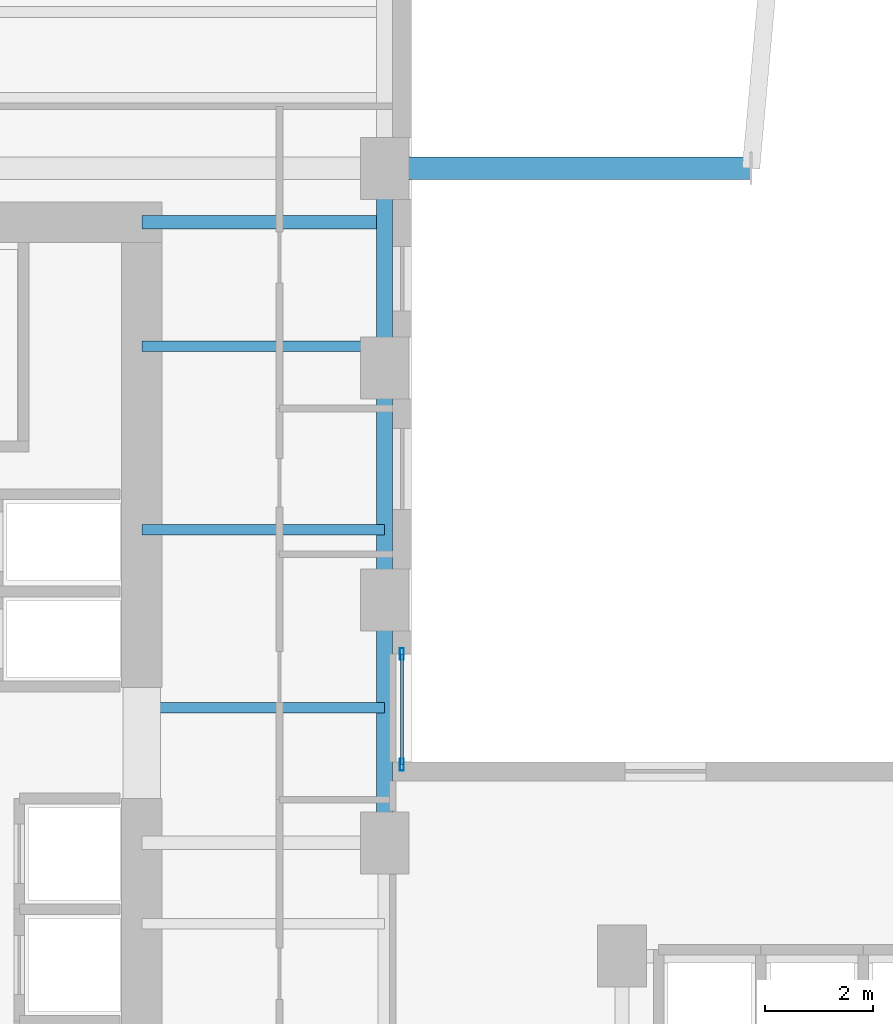
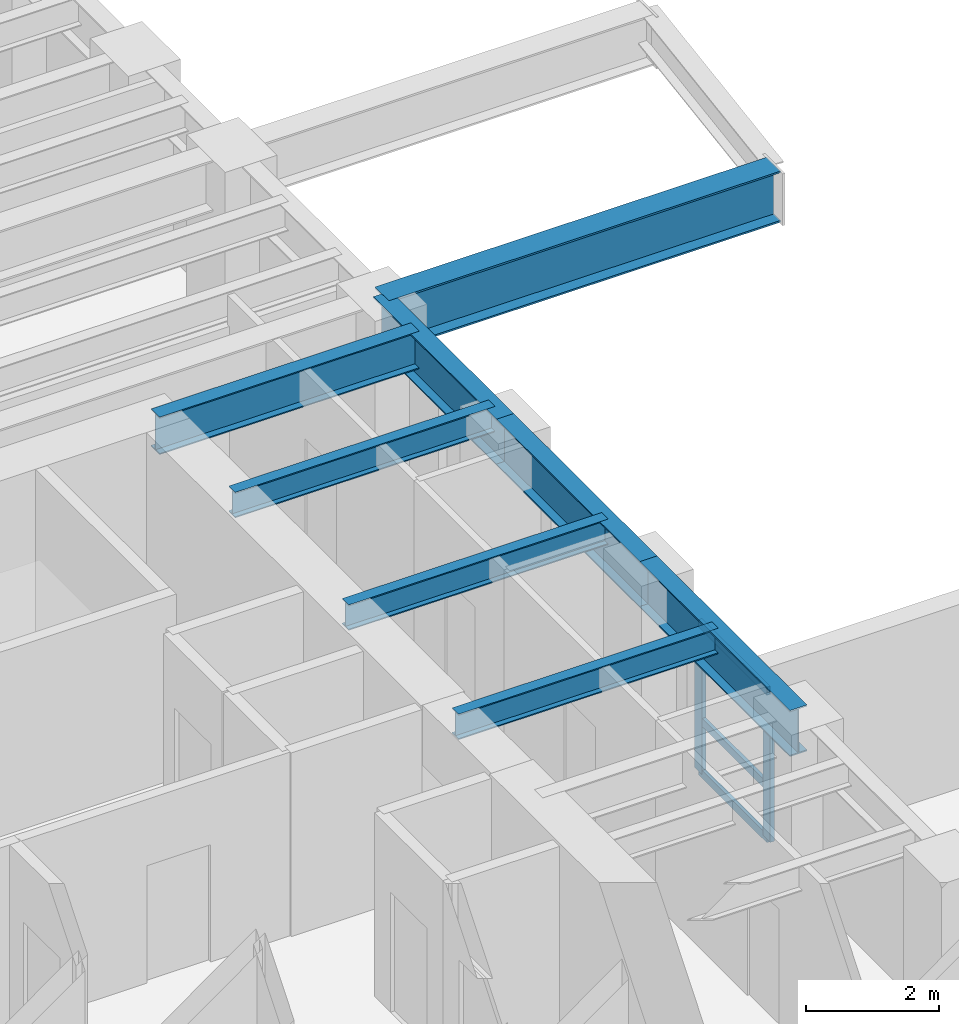
# One storey, part 2 of 13: 8 beams, 5 members, 1 element without a shape of its own.
"""IFC4 building model written with IfcOpenShell, lengths in metres."""

from ifc_helpers import new_model, si_unit, direction, frame, origin, origin_2d, place, context, subcontext, project, spatial, hollow_rectangle, i_section, extrude, source, transform, mapped, material, layer, layer_set, material_profile, profile_set, type_object, element, aggregate, save


model = new_model("IFC4")

# Units and contexts
model_context = context("Model", 3, precision=1e-05, world=origin(), true_north=direction((0.0, 1.0)))
body_context = subcontext(model_context, "Body", "Model", "MODEL_VIEW")
ifc_project = project(units=[si_unit("LENGTHUNIT", "METRE"), si_unit("AREAUNIT", "SQUARE_METRE"), si_unit("VOLUMEUNIT", "CUBIC_METRE"), si_unit("PLANEANGLEUNIT", "RADIAN"), si_unit("MASSUNIT", "GRAM", prefix="KILO")], contexts=[model_context])

# Site, building, storey
site_placement = place(None, origin())
site = spatial("IfcSite", under=ifc_project, at=site_placement, CompositionType="ELEMENT")
building_placement = place(site_placement, origin())
building = spatial("IfcBuilding", under=site, at=building_placement, Name="Kharzan Plaza Tower", CompositionType="ELEMENT")
storey_placement = place(building_placement, frame((0.0, 0.0, 95.39990234375)))
storey = spatial("IfcBuildingStorey", under=building, at=storey_placement, Name="L25", CompositionType="ELEMENT", Elevation=95.39990234375)

# Beams
ifc_material_1 = material(Name="Steel S355", Category="steel")
ifc_material_profile_1 = material_profile(ifc_material_1, i_section(OverallWidth=0.194091796875, OverallDepth=0.468994140625, WebThickness=0.011474609375, FlangeThickness=0.0205078125, at=origin_2d()), Name="W460x106")
ifc_profile_set_1 = profile_set([ifc_material_profile_1], Name="Steel S355")
beam_type_1 = type_object("IfcBeamType", Name="BM-JST460", PredefinedType="JOIST", material=ifc_profile_set_1)
shared_shape_1 = source(origin(), body_context, "Body", "SweptSolid", [
    extrude(i_section(OverallWidth=0.194091796875, OverallDepth=0.468994140625, WebThickness=0.011474609375, FlangeThickness=0.0205078125, at=origin_2d()), origin(), (0.0, 0.0, 1.0), 4.5),
])
for number, where, z_axis, x_axis, name in (
    (1, (14.5, 20.5, 3.1455078125), (1.0, 0.0, 0.0), (0.0, 1.0, 0.0), "L25 Wing A East Infill Joist 4"),
    (2, (14.5, 23.800048828125, 3.1455078125), (1.0, 0.0, 0.0), (0.0, 1.0, 0.0), "L25 Wing A East Infill Joist 5"),
    (3, (14.5, 27.199951171875, 3.1455078125), (1.0, 0.0, 0.0), (0.0, 1.0, 0.0), "L25 Wing A East Infill Joist 6"),
):
    element("IfcBeam", number, at=place(storey_placement, frame(where, z_axis=z_axis, x_axis=x_axis)), inside=storey, type_object=beam_type_1, Name=name, PredefinedType="JOIST", context=body_context, shape_type="MappedRepresentation", body=[
        mapped(shared_shape_1, transform((0.0, 0.0, 0.0), x_axis=(1.0, 0.0, 0.0), y_axis=(0.0, 1.0, 0.0), z_axis=(0.0, 0.0, 1.0))),
    ])
ifc_material_profile_2 = material_profile(ifc_material_1, i_section(OverallWidth=0.41796875, OverallDepth=0.93701171875, WebThickness=0.019287109375, FlangeThickness=0.031982421875, at=origin_2d()), Name="W920x342")
ifc_profile_set_2 = profile_set([ifc_material_profile_2], Name="Steel S355")
beam_type_2 = type_object("IfcBeamType", Name="BM-ZTG920", PredefinedType="BEAM", material=ifc_profile_set_2)
shared_shape_2 = source(origin(), body_context, "Body", "SweptSolid", [
    extrude(i_section(OverallWidth=0.41796875, OverallDepth=0.93701171875, WebThickness=0.019287109375, FlangeThickness=0.031982421875, at=origin_2d()), origin(), (0.0, 0.0, 1.0), 6.7900390625),
])
beam_1_placement = place(storey_placement, frame((19.0, 30.5, 2.91162109375), z_axis=(1.0, 0.0, 0.0), x_axis=(0.0, 1.0, 0.0)))
element("IfcBeam", 4, at=beam_1_placement, inside=storey, type_object=beam_type_2, Name="L25 Sky-Terrace Cantilever Girder ZTG1 (L26 G1)", PredefinedType="BEAM", context=body_context, shape_type="MappedRepresentation", body=[
    mapped(shared_shape_2, transform((0.0, 0.0, 0.0), x_axis=(1.0, 0.0, 0.0), y_axis=(0.0, 1.0, 0.0), z_axis=(0.0, 0.0, 1.0))),
])

# Curtain wall, members
ifc_material_2 = material(Name="Unitised Bronze-Anodized Aluminium and Low-E Glass", Category="aluminium")
ifc_layer = layer(ifc_material_2, 0.199951171875)
ifc_layer_set = layer_set([ifc_layer], Name="Unitised Bronze-Anodized Aluminium and Low-E Glass")
curtain_wall_type = type_object("IfcCurtainWallType", Name="CW-SLOT-3", PredefinedType="NOTDEFINED", material=ifc_layer_set)
curtain_wall_placement = place(storey_placement, origin())
curtain_wall = element("IfcCurtainWall", 5, at=curtain_wall_placement, inside=storey, type_object=curtain_wall_type, Name="L25 West Slot Recessed Spine Curtain Wall", PredefinedType="NOTDEFINED")
ifc_material_3 = material(Name="Anodized Bronze Aluminium", Category="aluminium")
ifc_material_profile_3 = material_profile(ifc_material_3, hollow_rectangle(XDim=0.06005859375, YDim=0.14990234375, WallThickness=0.00341796875, at=origin_2d()), Name="ALU-T150x60x3.5")
ifc_profile_set_3 = profile_set([ifc_material_profile_3], Name="Anodized Bronze Aluminium")
member_type_1 = type_object("IfcMemberType", Name="MEM-CW-TRN150", PredefinedType="USERDEFINED", material=ifc_profile_set_3)
shared_shape_3 = source(origin(), body_context, "Body", "SweptSolid", [
    extrude(hollow_rectangle(XDim=0.06005859375, YDim=0.14990234375, WallThickness=0.00341796875, at=origin_2d()), origin(), (0.0, 0.0, 1.0), 2.050048828125),
])
member_1_placement = place(storey_placement, frame((19.320068359375, 19.449951171875, 0.0), z_axis=(0.0, 1.0, 0.0), x_axis=(-1.0, 0.0, 0.0)))
member_1 = element("IfcMember", 6, at=member_1_placement, type_object=member_type_1, Name="L25 Curtain-Wall Transom 1", ObjectType="TRANSOM", PredefinedType="USERDEFINED", context=body_context, shape_type="MappedRepresentation", body=[
    mapped(shared_shape_3, transform((0.0, 0.0, 0.0), x_axis=(1.0, 0.0, 0.0), y_axis=(0.0, 1.0, 0.0), z_axis=(0.0, 0.0, 1.0))),
])
member_2_placement = place(storey_placement, frame((19.320068359375, 19.449951171875, 0.9501953125), z_axis=(0.0, 1.0, 0.0), x_axis=(-1.0, 0.0, 0.0)))
member_2 = element("IfcMember", 7, at=member_2_placement, type_object=member_type_1, Name="L25 Curtain-Wall Transom 2", ObjectType="TRANSOM", PredefinedType="USERDEFINED", context=body_context, shape_type="MappedRepresentation", body=[
    mapped(shared_shape_3, transform((0.0, 0.0, 0.0), x_axis=(1.0, 0.0, 0.0), y_axis=(0.0, 1.0, 0.0), z_axis=(0.0, 0.0, 1.0))),
])
member_3_placement = place(storey_placement, frame((19.320068359375, 19.449951171875, 2.7001953125), z_axis=(0.0, 1.0, 0.0), x_axis=(-1.0, 0.0, 0.0)))
member_3 = element("IfcMember", 8, at=member_3_placement, type_object=member_type_1, Name="L25 Curtain-Wall Transom 3", ObjectType="TRANSOM", PredefinedType="USERDEFINED", context=body_context, shape_type="MappedRepresentation", body=[
    mapped(shared_shape_3, transform((0.0, 0.0, 0.0), x_axis=(1.0, 0.0, 0.0), y_axis=(0.0, 1.0, 0.0), z_axis=(0.0, 0.0, 1.0))),
])
ifc_material_profile_4 = material_profile(ifc_material_3, hollow_rectangle(XDim=0.074951171875, YDim=0.219970703125, WallThickness=0.00390625, at=origin_2d()), Name="ALU-M220x75x4")
ifc_profile_set_4 = profile_set([ifc_material_profile_4], Name="Anodized Bronze Aluminium")
member_type_2 = type_object("IfcMemberType", Name="MEM-CW-MUL200", PredefinedType="MULLION", material=ifc_profile_set_4)
shared_shape_4 = source(origin(), body_context, "Body", "SweptSolid", [
    extrude(hollow_rectangle(XDim=0.074951171875, YDim=0.219970703125, WallThickness=0.00390625, at=origin_2d()), origin(), (0.0, 0.0, 1.0), 2.7001953125),
])
member_4_placement = place(storey_placement, frame((19.320068359375, 19.449951171875, 0.0), z_axis=(0.0, 0.0, 1.0), x_axis=(1.0, 0.0, 0.0)))
member_4 = element("IfcMember", 9, at=member_4_placement, type_object=member_type_2, Name="L25 Curtain-Wall Mullion 00", PredefinedType="MULLION", context=body_context, shape_type="MappedRepresentation", body=[
    mapped(shared_shape_4, transform((0.0, 0.0, 0.0), x_axis=(1.0, 0.0, 0.0), y_axis=(0.0, 1.0, 0.0), z_axis=(0.0, 0.0, 1.0))),
])
member_5_placement = place(storey_placement, frame((19.320068359375, 21.5, 0.0), z_axis=(0.0, 0.0, 1.0), x_axis=(1.0, 0.0, 0.0)))
member_5 = element("IfcMember", 10, at=member_5_placement, type_object=member_type_2, Name="L25 Curtain-Wall Mullion 01", PredefinedType="MULLION", context=body_context, shape_type="MappedRepresentation", body=[
    mapped(shared_shape_4, transform((0.0, 0.0, 0.0), x_axis=(1.0, 0.0, 0.0), y_axis=(0.0, 1.0, 0.0), z_axis=(0.0, 0.0, 1.0))),
])
aggregate(curtain_wall, [member_4, member_5, member_1, member_2, member_3])

# Beams
ifc_material_profile_5 = material_profile(ifc_material_1, i_section(OverallWidth=0.25390625, OverallDepth=0.68798828125, WebThickness=0.01318359375, FlangeThickness=0.02099609375, at=origin_2d()), Name="W690x152")
ifc_profile_set_5 = profile_set([ifc_material_profile_5], Name="Steel S355")
beam_type_3 = type_object("IfcBeamType", Name="BM-FG690B", PredefinedType="BEAM", material=ifc_profile_set_5)
shared_shape_5 = source(origin(), body_context, "Body", "SweptSolid", [
    extrude(i_section(OverallWidth=0.25390625, OverallDepth=0.68798828125, WebThickness=0.01318359375, FlangeThickness=0.02099609375, at=origin_2d()), origin(), (0.0, 0.0, 1.0), 4.5),
])
beam_2_placement = place(storey_placement, frame((14.5, 29.5, 3.0361328125), z_axis=(1.0, 0.0, 0.0), x_axis=(0.0, 1.0, 0.0)))
element("IfcBeam", 11, at=beam_2_placement, inside=storey, type_object=beam_type_3, Name="L25 Core-A East Floor Girder 3", PredefinedType="BEAM", context=body_context, shape_type="MappedRepresentation", body=[
    mapped(shared_shape_5, transform((0.0, 0.0, 0.0), x_axis=(1.0, 0.0, 0.0), y_axis=(0.0, 1.0, 0.0), z_axis=(0.0, 0.0, 1.0))),
])
ifc_material_profile_6 = material_profile(ifc_material_1, i_section(OverallWidth=0.299072265625, OverallDepth=0.845947265625, WebThickness=0.015380859375, FlangeThickness=0.0244140625, at=origin_2d()), Name="W840x210")
ifc_profile_set_6 = profile_set([ifc_material_profile_6], Name="Steel S355")
beam_type_4 = type_object("IfcBeamType", Name="BM-SP840B", PredefinedType="SPANDREL", material=ifc_profile_set_6)
shared_shape_6 = source(origin(), body_context, "Body", "SweptSolid", [
    extrude(i_section(OverallWidth=0.299072265625, OverallDepth=0.845947265625, WebThickness=0.015380859375, FlangeThickness=0.0244140625, at=origin_2d()), origin(), (0.0, 0.0, 1.0), 4.5),
])
beam_3_placement = place(storey_placement, frame((19.0, 18.0, 2.95703125), z_axis=(0.0, 1.0, 0.0), x_axis=(-1.0, 0.0, 0.0)))
element("IfcBeam", 12, at=beam_3_placement, inside=storey, type_object=beam_type_4, Name="L25 Perimeter Tube Spandrel", PredefinedType="SPANDREL", context=body_context, shape_type="MappedRepresentation", body=[
    mapped(shared_shape_6, transform((0.0, 0.0, 0.0), x_axis=(1.0, 0.0, 0.0), y_axis=(0.0, 1.0, 0.0), z_axis=(0.0, 0.0, 1.0))),
])
shared_shape_7 = source(origin(), body_context, "Body", "SweptSolid", [
    extrude(i_section(OverallWidth=0.299072265625, OverallDepth=0.845947265625, WebThickness=0.015380859375, FlangeThickness=0.0244140625, at=origin_2d()), origin(), (0.0, 0.0, 1.0), 4.300048828125),
])
beam_4_placement = place(storey_placement, frame((19.0, 22.5, 2.95703125), z_axis=(0.0, 1.0, 0.0), x_axis=(-1.0, 0.0, 0.0)))
element("IfcBeam", 13, at=beam_4_placement, inside=storey, type_object=beam_type_4, Name="L25 Perimeter Tube Spandrel", PredefinedType="SPANDREL", context=body_context, shape_type="MappedRepresentation", body=[
    mapped(shared_shape_7, transform((0.0, 0.0, 0.0), x_axis=(1.0, 0.0, 0.0), y_axis=(0.0, 1.0, 0.0), z_axis=(0.0, 0.0, 1.0))),
])
shared_shape_8 = source(origin(), body_context, "Body", "SweptSolid", [
    extrude(i_section(OverallWidth=0.299072265625, OverallDepth=0.845947265625, WebThickness=0.015380859375, FlangeThickness=0.0244140625, at=origin_2d()), origin(), (0.0, 0.0, 1.0), 3.699951171875),
])
beam_5_placement = place(storey_placement, frame((19.0, 26.800048828125, 2.95703125), z_axis=(0.0, 1.0, 0.0), x_axis=(-1.0, 0.0, 0.0)))
element("IfcBeam", 14, at=beam_5_placement, inside=storey, type_object=beam_type_4, Name="L25 Perimeter Tube Spandrel", PredefinedType="SPANDREL", context=body_context, shape_type="MappedRepresentation", body=[
    mapped(shared_shape_8, transform((0.0, 0.0, 0.0), x_axis=(1.0, 0.0, 0.0), y_axis=(0.0, 1.0, 0.0), z_axis=(0.0, 0.0, 1.0))),
])

save(model, "model.ifc")
